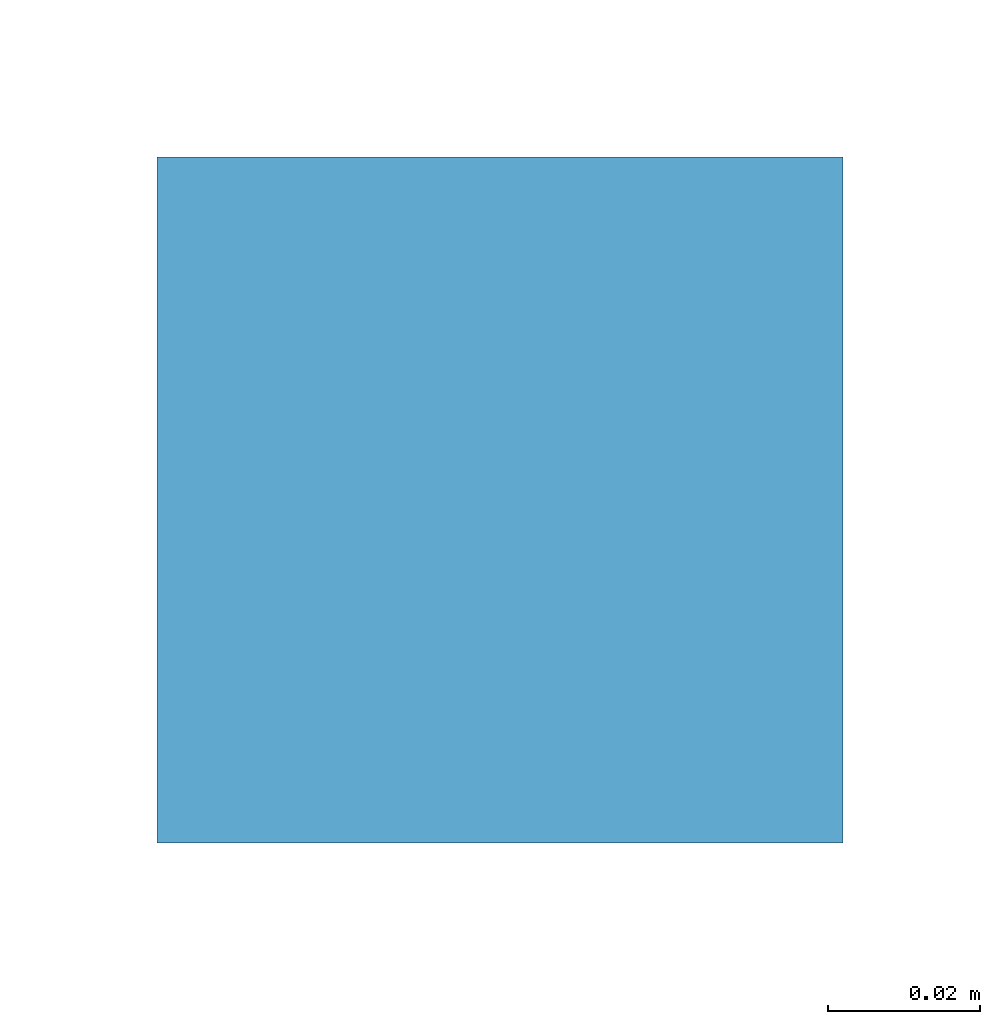
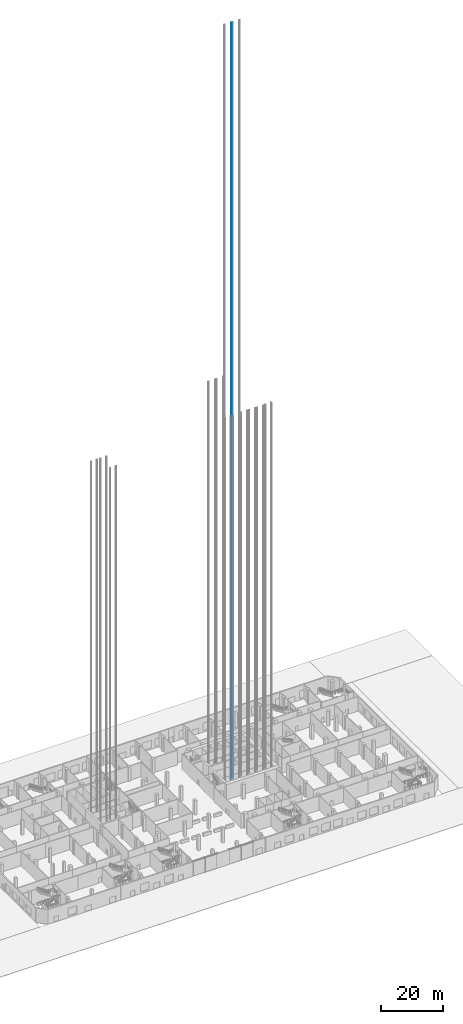
# One storey, part 29 of 55: 1 member.
"""IFC4 building model written with IfcOpenShell, lengths in metres."""

import ifcopenshell
import ifcopenshell.guid

model = None  # the IFC model being written
_history = None  # IfcOwnerHistory: only IFC2X3 demands one
_inside = {}  # id of a spatial element -> (the spatial element, [elements in it])
_under = {}  # id of a project, library or spatial element -> (it, [spatial elements below it])
_declared = {}  # id of a project -> (the project, [libraries it declares])
_typed = {}  # id of a type object -> (the type object, [elements of that type])
_made_of = {}  # id of a material, layer set ... -> (it, [elements and type objects made of it])


def new_model(schema):
    """Start an empty IFC model of exactly this schema.

    Asked for "IFC4X3", IfcOpenShell would pick the latest addendum, in which some entities
    have other attributes; the version numbers below select the first issue.
    IFC2X3 requires an IfcOwnerHistory on every rooted entity: one is made here for all.
    """
    global model, _history
    if schema == "IFC4X3":
        model = ifcopenshell.file(schema_version=(4, 3, 0, 0))
    else:
        model = ifcopenshell.file(schema=schema)
    _inside.clear()
    _under.clear()
    _declared.clear()
    _typed.clear()
    _made_of.clear()
    _history = None
    if model.schema == "IFC2X3":
        org = make("IfcOrganization", Name="unknown")
        user = make(
            "IfcPersonAndOrganization",
            ThePerson=make("IfcPerson", FamilyName="unknown"),
            TheOrganization=org,
        )
        app = make(
            "IfcApplication",
            ApplicationDeveloper=org,
            Version="unknown",
            ApplicationFullName="unknown",
            ApplicationIdentifier="unknown",
        )
        _history = make(
            "IfcOwnerHistory",
            OwningUser=user,
            OwningApplication=app,
            ChangeAction="ADDED",
            CreationDate=0,
        )
    return model


def make(cls, **values):
    """One entity of the class cls with the attributes given. An attribute that is None is left unset."""
    return model.create_entity(
        cls, **{name: value for name, value in values.items() if value is not None}
    )


def rooted(cls, **values):
    """An entity with a GlobalId (a new one), such as an element, a storey or a relation."""
    return make(cls, GlobalId=ifcopenshell.guid.new(), OwnerHistory=_history, **values)


def si_unit(unit_type, name, prefix=None):
    """IfcSIUnit, for example si_unit("LENGTHUNIT", "METRE", prefix="MILLI")."""
    return make("IfcSIUnit", UnitType=unit_type, Prefix=prefix, Name=name)


def assignment(units):
    """IfcUnitAssignment: the units of a project."""
    return None if units is None else make("IfcUnitAssignment", Units=units)


def point(xyz):
    """IfcCartesianPoint."""
    return None if xyz is None else make("IfcCartesianPoint", Coordinates=xyz)


def direction(xyz):
    """IfcDirection."""
    return None if xyz is None else make("IfcDirection", DirectionRatios=xyz)


def frame(location, z_axis=None, x_axis=None):
    """IfcAxis2Placement3D, a coordinate frame: its origin and axes. An axis left out is left unset."""
    return make(
        "IfcAxis2Placement3D",
        Location=point(location),
        Axis=direction(z_axis),
        RefDirection=direction(x_axis),
    )


def frame_2d(location, x_axis=None):
    """IfcAxis2Placement2D, a coordinate frame in the plane: its origin and x axis."""
    return make(
        "IfcAxis2Placement2D", Location=point(location), RefDirection=direction(x_axis)
    )


def origin():
    """The frame at (0, 0, 0) with its axes left unset."""
    return frame((0.0, 0.0, 0.0))


def origin_2d():
    """The frame at (0, 0) in the plane with its x axis left unset."""
    return frame_2d((0.0, 0.0))


def place(relative_to, where):
    """IfcLocalPlacement: puts the frame where relative to a parent placement (None: the world)."""
    return make(
        "IfcLocalPlacement", PlacementRelTo=relative_to, RelativePlacement=where
    )


def context(
    kind, dimensions, precision=None, world=None, true_north=None, identifier=None
):
    """IfcGeometricRepresentationContext, for example the 3D "Model" context."""
    return make(
        "IfcGeometricRepresentationContext",
        ContextIdentifier=identifier,
        ContextType=kind,
        CoordinateSpaceDimension=dimensions,
        Precision=precision,
        WorldCoordinateSystem=world,
        TrueNorth=true_north,
    )


def subcontext(parent, identifier, kind, view, scale=None):
    """IfcGeometricRepresentationSubContext, for example "Body" below "Model"."""
    return make(
        "IfcGeometricRepresentationSubContext",
        ContextIdentifier=identifier,
        ContextType=kind,
        ParentContext=parent,
        TargetScale=scale,
        TargetView=view,
    )


def project(units=None, contexts=None):
    """IfcProject with its units and contexts."""
    return rooted(
        "IfcProject",
        Name="project",
        RepresentationContexts=contexts,
        UnitsInContext=assignment(units),
    )


def spatial(cls, under=None, at=None, **own):
    """A site, building, storey or space (cls), placed at a placement, below another one or the project."""
    s = rooted(cls, ObjectPlacement=at, **own)
    if under is not None:
        _under.setdefault(under.id(), (under, []))[1].append(s)
    return s


def profile(cls, at=None, kind="AREA", **sizes):
    """A parametric profile (cls). Its sizes go by their IFC names, for example OverallWidth=200.0."""
    return make(cls, ProfileType=kind, Position=at, **sizes)


def rectangle(**sizes):
    """IfcRectangleProfileDef."""
    return profile("IfcRectangleProfileDef", **sizes)


def extrude(swept, where, along, depth):
    """IfcExtrudedAreaSolid: the profile swept, set in the frame where, extruded along a direction by depth."""
    return make(
        "IfcExtrudedAreaSolid",
        SweptArea=swept,
        Position=where,
        ExtrudedDirection=direction(along),
        Depth=depth,
    )


def shape(context_of_items, identifier, shape_type, items):
    """IfcShapeRepresentation: the items that make up one representation, for example the "Body"."""
    return make(
        "IfcShapeRepresentation",
        ContextOfItems=context_of_items,
        RepresentationIdentifier=identifier,
        RepresentationType=shape_type,
        Items=items,
    )


def material(Name=None, Category=None):
    """IfcMaterial."""
    return make("IfcMaterial", Name=Name, Category=Category)


def material_profile(
    of_material, cross_section, Name=None, Category=None, Priority=None
):
    """IfcMaterialProfile: a cross section and its material."""
    return make(
        "IfcMaterialProfile",
        Name=Name,
        Material=of_material,
        Profile=cross_section,
        Priority=Priority,
        Category=Category,
    )


def profile_set(profiles, Name=None, composite=None):
    """IfcMaterialProfileSet."""
    return make(
        "IfcMaterialProfileSet",
        Name=Name,
        MaterialProfiles=profiles,
        CompositeProfile=composite,
    )


def made_of(thing, what):
    """Note that an element or type object is made of a material, layer set ...; save() writes the relation."""
    if what is not None:
        _made_of.setdefault(what.id(), (what, []))[1].append(thing)
    return thing


def type_object(cls, material=None, **own):
    """A type object (cls), such as IfcWallType, which elements share."""
    return made_of(rooted(cls, **own), material)


def element(
    cls,
    number,
    at=None,
    inside=None,
    cuts=None,
    type_object=None,
    material=None,
    context=None,
    identifier="Body",
    shape_type=None,
    held_by="IfcProductDefinitionShape",
    body=None,
    shapes=None,
    **own,
):
    """One element of the class cls, such as IfcWall. Its Tag is "e" and its number.

    at: its placement. inside: the storey or other place that contains it. cuts: it is an
    opening in that element (IfcRelVoidsElement). A single representation is given by context,
    identifier, shape_type and body (its items); several are given by shapes. held_by: the class
    of the entity that holds the representations. save() writes the other relations.
    """
    e = rooted(cls, Tag="e%d" % number, ObjectPlacement=at, **own)
    if body is not None:
        shapes = [shape(context, identifier, shape_type, body)]
    if shapes is not None:
        e.Representation = make(held_by, Representations=shapes)
    if inside is not None:
        _inside.setdefault(inside.id(), (inside, []))[1].append(e)
    if cuts is not None:
        rooted(
            "IfcRelVoidsElement", RelatingBuildingElement=cuts, RelatedOpeningElement=e
        )
    if type_object is not None:
        _typed.setdefault(type_object.id(), (type_object, []))[1].append(e)
    return made_of(e, material)


def aggregate(whole, parts):
    """IfcRelAggregates: a whole, such as a stair, and the parts it consists of."""
    return rooted("IfcRelAggregates", RelatingObject=whole, RelatedObjects=parts)


def save(model, path):
    """Write the relations noted so far, then the file.

    IfcRelAggregates (storeys below a building ...), IfcRelContainedInSpatialStructure (elements
    in a storey), IfcRelDefinesByType, IfcRelAssociatesMaterial and IfcRelDeclares: one each for
    every whole, place, type object, material and project.
    """
    for whole, parts in _under.values():
        aggregate(whole, parts)
    for where, things in _inside.values():
        rooted(
            "IfcRelContainedInSpatialStructure",
            RelatedElements=things,
            RelatingStructure=where,
        )
    for kind, things in _typed.values():
        rooted("IfcRelDefinesByType", RelatedObjects=things, RelatingType=kind)
    for what, things in _made_of.values():
        rooted("IfcRelAssociatesMaterial", RelatedObjects=things, RelatingMaterial=what)
    for by, libraries in _declared.values():
        rooted("IfcRelDeclares", RelatingContext=by, RelatedDefinitions=libraries)
    model.write(path)


model = new_model("IFC4")

# Units and contexts
model_context = context("Model", 3, precision=1e-05, world=origin(), true_north=direction((0.0, 1.0)))
body_context = subcontext(model_context, "Body", "Model", "MODEL_VIEW")
ifc_project = project(units=[si_unit("LENGTHUNIT", "METRE"), si_unit("AREAUNIT", "SQUARE_METRE"), si_unit("VOLUMEUNIT", "CUBIC_METRE"), si_unit("PLANEANGLEUNIT", "RADIAN"), si_unit("MASSUNIT", "GRAM", prefix="KILO")], contexts=[model_context])

# Site, building, storey
site_placement = place(None, origin())
site = spatial("IfcSite", under=ifc_project, at=site_placement, CompositionType="ELEMENT")
building_placement = place(site_placement, origin())
building = spatial("IfcBuilding", under=site, at=building_placement, Name="Cinnabar Reach Civic Tower", CompositionType="ELEMENT")
storey_placement = place(building_placement, origin())
storey = spatial("IfcBuildingStorey", under=building, at=storey_placement, Name="L00", CompositionType="ELEMENT", Elevation=0.0)

# Member
ifc_material = material(Name="Steel Q355B", Category="steel")
ifc_material_profile = material_profile(ifc_material, rectangle(XDim=0.09, YDim=0.09, at=origin_2d()), Name="T1 lift guide rail")
ifc_profile_set = profile_set([ifc_material_profile], Name="Steel Q355B")
member_type = type_object("IfcMemberType", Name="T1 lift guide rail", PredefinedType="USERDEFINED", material=ifc_profile_set)
member_placement = place(storey_placement, frame((13.28, 33.0, -2.5), z_axis=(0.0, 0.0, 1.0), x_axis=(1.0, 0.0, 0.0)))
element("IfcMember", 1, at=member_placement, inside=storey, type_object=member_type, Name="T1-OB1 guide rail 2", ObjectType="GUIDE RAIL", PredefinedType="USERDEFINED", context=body_context, shape_type="SweptSolid", body=[
    extrude(rectangle(XDim=0.09, YDim=0.09, at=origin_2d()), origin(), (0.0, 0.0, 1.0), 297.5),
])

save(model, "model.ifc")
